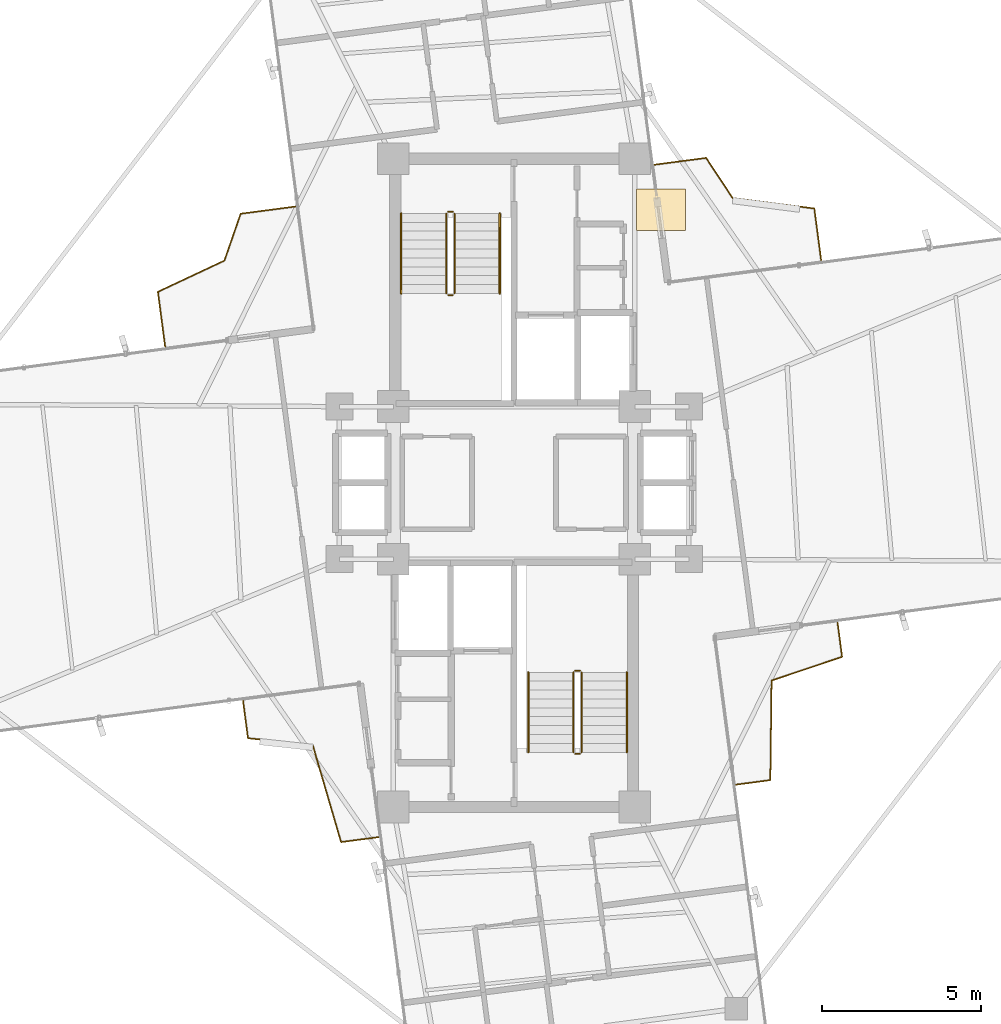
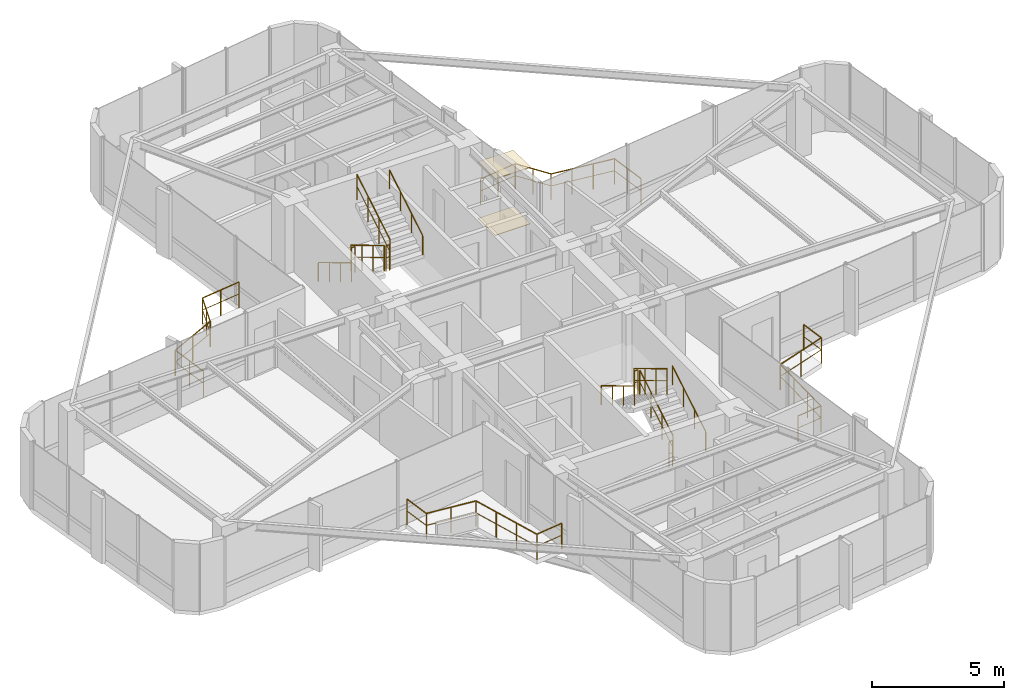
# One storey, part 22 of 22: 16 railings, 2 coverings.
"""IFC4 building model written with IfcOpenShell, lengths in metres."""

from ifc_helpers import new_model, si_unit, direction, frame, origin, origin_2d, place, context, subcontext, project, spatial, polyline, circle, outline, extrude, material, layer, layer_set, type_object, element, save


model = new_model("IFC4")

# Units and contexts
model_context = context("Model", 3, precision=1e-05, world=origin(), true_north=direction((0.0, 1.0)))
body_context = subcontext(model_context, "Body", "Model", "MODEL_VIEW")
ifc_project = project(units=[si_unit("LENGTHUNIT", "METRE"), si_unit("AREAUNIT", "SQUARE_METRE"), si_unit("VOLUMEUNIT", "CUBIC_METRE"), si_unit("PLANEANGLEUNIT", "RADIAN"), si_unit("MASSUNIT", "GRAM", prefix="KILO")], contexts=[model_context])

# Site, building, storey
site_placement = place(None, origin())
site = spatial("IfcSite", under=ifc_project, at=site_placement, CompositionType="ELEMENT")
building_placement = place(site_placement, origin())
building = spatial("IfcBuilding", under=site, at=building_placement, Name="Sahyath Konkavel Grand Hotel", CompositionType="ELEMENT")
storey_placement = place(building_placement, frame((0.0, 0.0, 237.800048828125)))
storey = spatial("IfcBuildingStorey", under=building, at=storey_placement, Name="L66", CompositionType="ELEMENT", Elevation=237.800048828125)

# Coverings
ifc_material_1 = material(Name="Perforated Acoustic Gypsum and Teak Baffle Ceiling")
ifc_layer_1 = layer(ifc_material_1, 0.044921875)
ifc_layer_set_1 = layer_set([ifc_layer_1], Name="Perforated Acoustic Gypsum and Teak Baffle Ceiling")
covering_type_1 = type_object("IfcCoveringType", Name="COV-ACOUSTIC-CLG", PredefinedType="CEILING", material=ifc_layer_set_1)
covering_1_placement = place(storey_placement, frame((0.0, 0.0, 2.58984375)))
element("IfcCovering", 1, at=covering_1_placement, inside=storey, type_object=covering_type_1, Name="L66 Core Vestibule Acoustic Ceiling", PredefinedType="CEILING", context=body_context, shape_type="SweptSolid", body=[
    extrude(outline(polyline([(3.85009765625, 7.949951171875), (5.39990234375, 7.949951171875), (5.39990234375, 9.25), (3.85009765625, 9.25), (3.85009765625, 7.949951171875)])), origin(), (0.0, 0.0, 1.0), 0.0400390625),
])
ifc_material_2 = material(Name="Polished Konkan Aggregate Terrazzo Flooring")
ifc_layer_2 = layer(ifc_material_2, 0.02001953125)
ifc_layer_set_2 = layer_set([ifc_layer_2], Name="Polished Konkan Aggregate Terrazzo Flooring")
covering_type_2 = type_object("IfcCoveringType", Name="COV-TERRAZZO", PredefinedType="FLOORING", material=ifc_layer_set_2)
covering_2_placement = place(storey_placement, origin())
element("IfcCovering", 2, at=covering_2_placement, inside=storey, type_object=covering_type_2, Name="L66 Core Vestibule Terrazzo Flooring", PredefinedType="FLOORING", context=body_context, shape_type="SweptSolid", body=[
    extrude(outline(polyline([(3.85009765625, 7.949951171875), (5.39990234375, 7.949951171875), (5.39990234375, 9.25), (3.85009765625, 9.25), (3.85009765625, 7.949951171875)])), origin(), (0.0, 0.0, 1.0), 0.02001953125),
])

# Railings
ifc_material_3 = material(Name="Anodised Bronze Aluminium", Category="aluminium")
railing_type_1 = type_object("IfcRailingType", Name="RLG-BALC-1200", PredefinedType="GUARDRAIL", material=ifc_material_3)
railing_1_placement = place(storey_placement, frame((9.666259765625, 7.006591796875, 0.0)))
element("IfcRailing", 3, at=railing_1_placement, inside=storey, type_object=railing_type_1, Name="L66 Winter-Garden Guard NE", PredefinedType="GUARDRAIL", context=body_context, shape_type="SweptSolid", body=[
    extrude(circle(Radius=0.02392578125, at=origin_2d()), frame((-0.000244140625, 0.001953125, 1.17578125), z_axis=(-0.130577479306, 0.991438107951, 0.0), x_axis=(-0.991438107951, -0.130577479306, 0.0)), (0.0, 0.0, 1.0), 1.639404296875),
    extrude(circle(Radius=0.01416015625, at=origin_2d()), frame((-0.000244140625, 0.001953125, 0.6240234375), z_axis=(-0.130577479306, 0.991438107951, 0.0), x_axis=(-0.991438107951, -0.130577479306, 0.0)), (0.0, 0.0, 1.0), 1.639404296875),
    extrude(circle(Radius=0.02392578125, at=origin_2d()), frame((-0.216552734375, 1.629638671875, 1.17578125), z_axis=(-0.991877401161, 0.127197567059, 0.0), x_axis=(-0.127197567059, -0.991877401161, 0.0)), (0.0, 0.0, 1.0), 2.589111328125),
    extrude(circle(Radius=0.01416015625, at=origin_2d()), frame((-0.216552734375, 1.629638671875, 0.6240234375), z_axis=(-0.991877401161, 0.127197567059, 0.0), x_axis=(-0.127197567059, -0.991877401161, 0.0)), (0.0, 0.0, 1.0), 2.589111328125),
    extrude(circle(Radius=0.02392578125, at=origin_2d()), frame((-2.787841796875, 1.9609375, 1.17578125), z_axis=(-0.551345488575, 0.834277023672, 0.0), x_axis=(-0.834277023672, -0.551345488575, 0.0)), (0.0, 0.0, 1.0), 1.509521484375),
    extrude(circle(Radius=0.01416015625, at=origin_2d()), frame((-2.787841796875, 1.9609375, 0.6240234375), z_axis=(-0.551345488575, 0.834277023672, 0.0), x_axis=(-0.834277023672, -0.551345488575, 0.0)), (0.0, 0.0, 1.0), 1.509521484375),
    extrude(circle(Radius=0.02392578125, at=origin_2d()), frame((-3.623046875, 3.2216796875, 1.17578125), z_axis=(-0.991438107951, -0.130577479306, 0.0), x_axis=(0.130577479306, -0.991438107951, 0.0)), (0.0, 0.0, 1.0), 1.639404296875),
    extrude(circle(Radius=0.01416015625, at=origin_2d()), frame((-3.623046875, 3.2216796875, 0.6240234375), z_axis=(-0.991438107951, -0.130577479306, 0.0), x_axis=(0.130577479306, -0.991438107951, 0.0)), (0.0, 0.0, 1.0), 1.639404296875),
    extrude(circle(Radius=0.02099609375, at=origin_2d()), origin(), (0.0, 0.0, 1.0), 1.15185546875),
    extrude(circle(Radius=0.02099609375, at=origin_2d()), frame((-0.107421875, 0.814697265625, 0.0)), (0.0, 0.0, 1.0), 1.15185546875),
    extrude(circle(Radius=0.02099609375, at=origin_2d()), frame((-0.214599609375, 1.62939453125, 0.0)), (0.0, 0.0, 1.0), 1.15185546875),
    extrude(circle(Radius=0.02099609375, at=origin_2d()), frame((-1.072021484375, 1.7392578125, 0.0)), (0.0, 0.0, 1.0), 1.15185546875),
    extrude(circle(Radius=0.02099609375, at=origin_2d()), frame((-1.92919921875, 1.849365234375, 0.0)), (0.0, 0.0, 1.0), 1.15185546875),
    extrude(circle(Radius=0.02099609375, at=origin_2d()), frame((-2.78662109375, 1.959228515625, 0.0)), (0.0, 0.0, 1.0), 1.15185546875),
    extrude(circle(Radius=0.02099609375, at=origin_2d()), frame((-3.203857421875, 2.590576171875, 0.0)), (0.0, 0.0, 1.0), 1.15185546875),
    extrude(circle(Radius=0.02099609375, at=origin_2d()), frame((-3.62109375, 3.221923828125, 0.0)), (0.0, 0.0, 1.0), 1.15185546875),
    extrude(circle(Radius=0.02099609375, at=origin_2d()), frame((-4.435791015625, 3.11474609375, 0.0)), (0.0, 0.0, 1.0), 1.15185546875),
    extrude(circle(Radius=0.02099609375, at=origin_2d()), frame((-5.25048828125, 3.00732421875, 0.0)), (0.0, 0.0, 1.0), 1.15185546875),
])
railing_2_placement = place(storey_placement, frame((-6.879150390625, 8.698486328125, 0.0)))
element("IfcRailing", 4, at=railing_2_placement, inside=storey, type_object=railing_type_1, Name="L66 Winter-Garden Guard NW", PredefinedType="GUARDRAIL", context=body_context, shape_type="SweptSolid", body=[
    extrude(circle(Radius=0.02392578125, at=origin_2d()), frame((-0.001953125, -0.000244140625, 1.17578125), z_axis=(-0.991449519089, -0.130490808485, 0.0), x_axis=(0.130490808485, -0.991449519089, 0.0)), (0.0, 0.0, 1.0), 1.736083984375),
    extrude(circle(Radius=0.01416015625, at=origin_2d()), frame((-0.001953125, -0.000244140625, 0.6240234375), z_axis=(-0.991449519089, -0.130490808485, 0.0), x_axis=(0.130490808485, -0.991449519089, 0.0)), (0.0, 0.0, 1.0), 1.736083984375),
    extrude(circle(Radius=0.02392578125, at=origin_2d()), frame((-1.725830078125, -0.22900390625, 1.17578125), z_axis=(-0.327502298761, -0.944850381969, 0.0), x_axis=(0.944850381969, -0.327502298761, 0.0)), (0.0, 0.0, 1.0), 1.55859375),
    extrude(circle(Radius=0.01416015625, at=origin_2d()), frame((-1.725830078125, -0.22900390625, 0.6240234375), z_axis=(-0.327502298761, -0.944850381969, 0.0), x_axis=(0.944850381969, -0.327502298761, 0.0)), (0.0, 0.0, 1.0), 1.55859375),
    extrude(circle(Radius=0.02392578125, at=origin_2d()), frame((-2.238525390625, -1.7041015625, 1.17578125), z_axis=(-0.905342208078, -0.424682806659, 0.0), x_axis=(0.424682806659, -0.905342208078, 0.0)), (0.0, 0.0, 1.0), 2.3076171875),
    extrude(circle(Radius=0.01416015625, at=origin_2d()), frame((-2.238525390625, -1.7041015625, 0.6240234375), z_axis=(-0.905342208078, -0.424682806659, 0.0), x_axis=(0.424682806659, -0.905342208078, 0.0)), (0.0, 0.0, 1.0), 2.3076171875),
    extrude(circle(Radius=0.02392578125, at=origin_2d()), frame((-4.329345703125, -2.68701171875, 1.17578125), z_axis=(0.130490808485, -0.991449519089, 0.0), x_axis=(0.991449519089, 0.130490808485, 0.0)), (0.0, 0.0, 1.0), 1.736083984375),
    extrude(circle(Radius=0.01416015625, at=origin_2d()), frame((-4.329345703125, -2.68701171875, 0.6240234375), z_axis=(0.130490808485, -0.991449519089, 0.0), x_axis=(0.991449519089, 0.130490808485, 0.0)), (0.0, 0.0, 1.0), 1.736083984375),
    extrude(circle(Radius=0.02099609375, at=origin_2d()), origin(), (0.0, 0.0, 1.0), 1.15185546875),
    extrude(circle(Radius=0.02099609375, at=origin_2d()), frame((-0.862548828125, -0.113525390625, 0.0)), (0.0, 0.0, 1.0), 1.15185546875),
    extrude(circle(Radius=0.02099609375, at=origin_2d()), frame((-1.72509765625, -0.22705078125, 0.0)), (0.0, 0.0, 1.0), 1.15185546875),
    extrude(circle(Radius=0.02099609375, at=origin_2d()), frame((-1.98095703125, -0.96533203125, 0.0)), (0.0, 0.0, 1.0), 1.15185546875),
    extrude(circle(Radius=0.02099609375, at=origin_2d()), frame((-2.23681640625, -1.703369140625, 0.0)), (0.0, 0.0, 1.0), 1.15185546875),
    extrude(circle(Radius=0.02099609375, at=origin_2d()), frame((-3.283203125, -2.1943359375, 0.0)), (0.0, 0.0, 1.0), 1.15185546875),
    extrude(circle(Radius=0.02099609375, at=origin_2d()), frame((-4.32958984375, -2.68505859375, 0.0)), (0.0, 0.0, 1.0), 1.15185546875),
    extrude(circle(Radius=0.02099609375, at=origin_2d()), frame((-4.216064453125, -3.547607421875, 0.0)), (0.0, 0.0, 1.0), 1.15185546875),
    extrude(circle(Radius=0.02099609375, at=origin_2d()), frame((-4.1025390625, -4.41015625, 0.0)), (0.0, 0.0, 1.0), 1.15185546875),
])
railing_3_placement = place(storey_placement, frame((-8.530029296875, -6.857177734375, 0.0)))
element("IfcRailing", 5, at=railing_3_placement, inside=storey, type_object=railing_type_1, Name="L66 Winter-Garden Guard SW", PredefinedType="GUARDRAIL", context=body_context, shape_type="SweptSolid", body=[
    extrude(circle(Radius=0.02392578125, at=origin_2d()), frame((0.000244140625, -0.001953125, 1.17578125), z_axis=(0.130656448367, -0.991427704122, 0.0), x_axis=(0.991427704122, 0.130656448367, 0.0)), (0.0, 0.0, 1.0), 1.184326171875),
    extrude(circle(Radius=0.01416015625, at=origin_2d()), frame((0.000244140625, -0.001953125, 0.6240234375), z_axis=(0.130656448367, -0.991427704122, 0.0), x_axis=(0.991427704122, 0.130656448367, 0.0)), (0.0, 0.0, 1.0), 1.184326171875),
    extrude(circle(Radius=0.02392578125, at=origin_2d()), frame((0.1572265625, -1.178466796875, 1.17578125), z_axis=(0.994169174823, -0.107831590134, 0.0), x_axis=(0.107831590134, 0.994169174823, 0.0)), (0.0, 0.0, 1.0), 2.04736328125),
    extrude(circle(Radius=0.01416015625, at=origin_2d()), frame((0.1572265625, -1.178466796875, 0.6240234375), z_axis=(0.994169174823, -0.107831590134, 0.0), x_axis=(0.107831590134, 0.994169174823, 0.0)), (0.0, 0.0, 1.0), 2.04736328125),
    extrude(circle(Radius=0.02392578125, at=origin_2d()), frame((2.195068359375, -1.4013671875, 1.17578125), z_axis=(0.280543025006, -0.959841451033, 0.0), x_axis=(0.959841451033, 0.280543025006, 0.0)), (0.0, 0.0, 1.0), 3.17236328125),
    extrude(circle(Radius=0.01416015625, at=origin_2d()), frame((2.195068359375, -1.4013671875, 0.6240234375), z_axis=(0.280543025006, -0.959841451033, 0.0), x_axis=(0.959841451033, 0.280543025006, 0.0)), (0.0, 0.0, 1.0), 3.17236328125),
    extrude(circle(Radius=0.02392578125, at=origin_2d()), frame((3.087646484375, -4.447998046875, 1.17578125), z_axis=(0.991427704122, 0.130656448367, 0.0), x_axis=(-0.130656448367, 0.991427704122, 0.0)), (0.0, 0.0, 1.0), 1.184326171875),
    extrude(circle(Radius=0.01416015625, at=origin_2d()), frame((3.087646484375, -4.447998046875, 0.6240234375), z_axis=(0.991427704122, 0.130656448367, 0.0), x_axis=(-0.130656448367, 0.991427704122, 0.0)), (0.0, 0.0, 1.0), 1.184326171875),
    extrude(circle(Radius=0.02099609375, at=origin_2d()), origin(), (0.0, 0.0, 1.0), 1.15185546875),
    extrude(circle(Radius=0.02099609375, at=origin_2d()), frame((0.1552734375, -1.17822265625, 0.0)), (0.0, 0.0, 1.0), 1.15185546875),
    extrude(circle(Radius=0.02099609375, at=origin_2d()), frame((1.1748046875, -1.288818359375, 0.0)), (0.0, 0.0, 1.0), 1.15185546875),
    extrude(circle(Radius=0.02099609375, at=origin_2d()), frame((2.194580078125, -1.3994140625, 0.0)), (0.0, 0.0, 1.0), 1.15185546875),
    extrude(circle(Radius=0.02099609375, at=origin_2d()), frame((2.49169921875, -2.415771484375, 0.0)), (0.0, 0.0, 1.0), 1.15185546875),
    extrude(circle(Radius=0.02099609375, at=origin_2d()), frame((2.78857421875, -3.431884765625, 0.0)), (0.0, 0.0, 1.0), 1.15185546875),
    extrude(circle(Radius=0.02099609375, at=origin_2d()), frame((3.085693359375, -4.4482421875, 0.0)), (0.0, 0.0, 1.0), 1.15185546875),
    extrude(circle(Radius=0.02099609375, at=origin_2d()), frame((4.263916015625, -4.29296875, 0.0)), (0.0, 0.0, 1.0), 1.15185546875),
])
railing_4_placement = place(storey_placement, frame((6.984375, -9.49755859375, 0.0)))
element("IfcRailing", 6, at=railing_4_placement, inside=storey, type_object=railing_type_1, Name="L66 Winter-Garden Guard SE", PredefinedType="GUARDRAIL", context=body_context, shape_type="SweptSolid", body=[
    extrude(circle(Radius=0.02392578125, at=origin_2d()), frame((0.001953125, 0.000244140625, 1.17578125), z_axis=(0.991441355547, 0.130552818859, 0.0), x_axis=(-0.130552818859, 0.991441355547, 0.0)), (0.0, 0.0, 1.0), 1.088134765625),
    extrude(circle(Radius=0.01416015625, at=origin_2d()), frame((0.001953125, 0.000244140625, 0.6240234375), z_axis=(0.991441355547, 0.130552818859, 0.0), x_axis=(-0.130552818859, 0.991441355547, 0.0)), (0.0, 0.0, 1.0), 1.088134765625),
    extrude(circle(Radius=0.02392578125, at=origin_2d()), frame((1.082763671875, 0.14453125, 1.17578125), z_axis=(0.012460091839, 0.999922370042, 0.0), x_axis=(-0.999922370042, 0.012460091839, 0.0)), (0.0, 0.0, 1.0), 3.131103515625),
    extrude(circle(Radius=0.01416015625, at=origin_2d()), frame((1.082763671875, 0.14453125, 0.6240234375), z_axis=(0.012460091839, 0.999922370042, 0.0), x_axis=(-0.999922370042, 0.012460091839, 0.0)), (0.0, 0.0, 1.0), 3.131103515625),
    extrude(circle(Radius=0.02392578125, at=origin_2d()), frame((1.123779296875, 3.278076171875, 1.17578125), z_axis=(0.94813945261, 0.317854649808, 0.0), x_axis=(-0.317854649808, 0.94813945261, 0.0)), (0.0, 0.0, 1.0), 2.33642578125),
    extrude(circle(Radius=0.01416015625, at=origin_2d()), frame((1.123779296875, 3.278076171875, 0.6240234375), z_axis=(0.94813945261, 0.317854649808, 0.0), x_axis=(-0.317854649808, 0.94813945261, 0.0)), (0.0, 0.0, 1.0), 2.33642578125),
    extrude(circle(Radius=0.02392578125, at=origin_2d()), frame((3.340576171875, 4.023193359375, 1.17578125), z_axis=(-0.130552818859, 0.991441355547, 0.0), x_axis=(-0.991441355547, -0.130552818859, 0.0)), (0.0, 0.0, 1.0), 1.088134765625),
    extrude(circle(Radius=0.01416015625, at=origin_2d()), frame((3.340576171875, 4.023193359375, 0.6240234375), z_axis=(-0.130552818859, 0.991441355547, 0.0), x_axis=(-0.991441355547, -0.130552818859, 0.0)), (0.0, 0.0, 1.0), 1.088134765625),
    extrude(circle(Radius=0.02099609375, at=origin_2d()), origin(), (0.0, 0.0, 1.0), 1.15185546875),
    extrude(circle(Radius=0.02099609375, at=origin_2d()), frame((1.082763671875, 0.142578125, 0.0)), (0.0, 0.0, 1.0), 1.15185546875),
    extrude(circle(Radius=0.02099609375, at=origin_2d()), frame((1.095703125, 1.1875, 0.0)), (0.0, 0.0, 1.0), 1.15185546875),
    extrude(circle(Radius=0.02099609375, at=origin_2d()), frame((1.10888671875, 2.232421875, 0.0)), (0.0, 0.0, 1.0), 1.15185546875),
    extrude(circle(Radius=0.02099609375, at=origin_2d()), frame((1.121826171875, 3.27734375, 0.0)), (0.0, 0.0, 1.0), 1.15185546875),
    extrude(circle(Radius=0.02099609375, at=origin_2d()), frame((2.2314453125, 3.6494140625, 0.0)), (0.0, 0.0, 1.0), 1.15185546875),
    extrude(circle(Radius=0.02099609375, at=origin_2d()), frame((3.3408203125, 4.021240234375, 0.0)), (0.0, 0.0, 1.0), 1.15185546875),
    extrude(circle(Radius=0.02099609375, at=origin_2d()), frame((3.1982421875, 5.10400390625, 0.0)), (0.0, 0.0, 1.0), 1.15185546875),
])
ifc_material_4 = material(Name="Steel E350", Category="steel")
railing_type_2 = type_object("IfcRailingType", Name="RLG-STAIR-GRD", PredefinedType="GUARDRAIL", material=ifc_material_4)
railing_5_placement = place(storey_placement, frame((-2.1298828125, 8.47998046875, 0.16748046875)))
element("IfcRailing", 7, at=railing_5_placement, inside=storey, type_object=railing_type_2, Name="L66 ST-1 stair guard 1", PredefinedType="GUARDRAIL", context=body_context, shape_type="SweptSolid", body=[
    extrude(circle(Radius=0.02392578125, at=origin_2d()), frame((0.0, -0.001708984375, 1.177001953125), z_axis=(0.0, -0.858159760407, 0.513382728203), x_axis=(1.0, 0.0, 0.0)), (0.0, 0.0, 1.0), 2.9326171875),
    extrude(circle(Radius=0.01416015625, at=origin_2d()), frame((0.0, -0.001708984375, 0.625), z_axis=(0.0, -0.858159760407, 0.513382728203), x_axis=(1.0, 0.0, 0.0)), (0.0, 0.0, 1.0), 2.9326171875),
    extrude(circle(Radius=0.02099609375, at=origin_2d()), origin(), (0.0, 0.0, 1.0), 1.15185546875),
    extrude(circle(Radius=0.02099609375, at=origin_2d()), frame((0.0, -0.840087890625, 0.50244140625)), (0.0, 0.0, 1.0), 1.15185546875),
    extrude(circle(Radius=0.02099609375, at=origin_2d()), frame((0.0, -1.679931640625, 1.005126953125)), (0.0, 0.0, 1.0), 1.15185546875),
    extrude(circle(Radius=0.02099609375, at=origin_2d()), frame((0.0, -2.52001953125, 1.507568359375)), (0.0, 0.0, 1.0), 1.15185546875),
])
railing_6_placement = place(storey_placement, frame((-2.080078125, 5.909912109375, 1.675048828125)))
element("IfcRailing", 8, at=railing_6_placement, inside=storey, type_object=railing_type_2, Name="L66 ST-1 stair guard 2", PredefinedType="GUARDRAIL", context=body_context, shape_type="SweptSolid", body=[
    extrude(circle(Radius=0.02392578125, at=origin_2d()), frame((0.001953125, 0.0, 1.17578125), z_axis=(1.0, 0.0, 0.0), x_axis=(0.0, 1.0, 0.0)), (0.0, 0.0, 1.0), 0.15625),
    extrude(circle(Radius=0.01416015625, at=origin_2d()), frame((0.001953125, 0.0, 0.6240234375), z_axis=(1.0, 0.0, 0.0), x_axis=(0.0, 1.0, 0.0)), (0.0, 0.0, 1.0), 0.15625),
    extrude(circle(Radius=0.02099609375, at=origin_2d()), origin(), (0.0, 0.0, 1.0), 1.15185546875),
    extrude(circle(Radius=0.02099609375, at=origin_2d()), frame((0.16015625, 0.0, 0.0)), (0.0, 0.0, 1.0), 1.15185546875),
])
railing_7_placement = place(storey_placement, frame((-1.8701171875, 5.9599609375, 1.842529296875)))
element("IfcRailing", 9, at=railing_7_placement, inside=storey, type_object=railing_type_2, Name="L66 ST-1 stair guard 3", PredefinedType="GUARDRAIL", context=body_context, shape_type="SweptSolid", body=[
    extrude(circle(Radius=0.02392578125, at=origin_2d()), frame((0.0, 0.001708984375, 1.177001953125), z_axis=(0.0, 0.858196387827, 0.513321497621), x_axis=(-1.0, 0.0, 0.0)), (0.0, 0.0, 1.0), 2.932373046875),
    extrude(circle(Radius=0.01416015625, at=origin_2d()), frame((0.0, 0.001708984375, 0.625), z_axis=(0.0, 0.858196387827, 0.513321497621), x_axis=(-1.0, 0.0, 0.0)), (0.0, 0.0, 1.0), 2.932373046875),
    extrude(circle(Radius=0.02099609375, at=origin_2d()), origin(), (0.0, 0.0, 1.0), 1.15185546875),
    extrude(circle(Radius=0.02099609375, at=origin_2d()), frame((0.0, 0.840087890625, 0.50244140625)), (0.0, 0.0, 1.0), 1.15185546875),
    extrude(circle(Radius=0.02099609375, at=origin_2d()), frame((0.0, 1.679931640625, 1.0048828125)), (0.0, 0.0, 1.0), 1.15185546875),
    extrude(circle(Radius=0.02099609375, at=origin_2d()), frame((0.0, 2.52001953125, 1.50732421875)), (0.0, 0.0, 1.0), 1.15185546875),
])
railing_8_placement = place(storey_placement, frame((-2.080078125, 8.530029296875, 0.0)))
element("IfcRailing", 10, at=railing_8_placement, inside=storey, type_object=railing_type_2, Name="L66 ST-1 stair guard 4", PredefinedType="GUARDRAIL", context=body_context, shape_type="SweptSolid", body=[
    extrude(circle(Radius=0.02392578125, at=origin_2d()), frame((0.001953125, 0.0, 1.17578125), z_axis=(1.0, 0.0, 0.0), x_axis=(0.0, 1.0, 0.0)), (0.0, 0.0, 1.0), 0.15625),
    extrude(circle(Radius=0.01416015625, at=origin_2d()), frame((0.001953125, 0.0, 0.6240234375), z_axis=(1.0, 0.0, 0.0), x_axis=(0.0, 1.0, 0.0)), (0.0, 0.0, 1.0), 0.15625),
    extrude(circle(Radius=0.02099609375, at=origin_2d()), origin(), (0.0, 0.0, 1.0), 1.15185546875),
    extrude(circle(Radius=0.02099609375, at=origin_2d()), frame((0.16015625, 0.0, 0.0)), (0.0, 0.0, 1.0), 1.15185546875),
])
railing_9_placement = place(storey_placement, frame((2.1298828125, -8.47998046875, 0.16748046875)))
element("IfcRailing", 11, at=railing_9_placement, inside=storey, type_object=railing_type_2, Name="L66 ST-2 stair guard 1", PredefinedType="GUARDRAIL", context=body_context, shape_type="SweptSolid", body=[
    extrude(circle(Radius=0.02392578125, at=origin_2d()), frame((0.0, 0.001708984375, 1.177001953125), z_axis=(0.0, 0.858159760407, 0.513382728203), x_axis=(-1.0, 0.0, 0.0)), (0.0, 0.0, 1.0), 2.9326171875),
    extrude(circle(Radius=0.01416015625, at=origin_2d()), frame((0.0, 0.001708984375, 0.625), z_axis=(0.0, 0.858159760407, 0.513382728203), x_axis=(-1.0, 0.0, 0.0)), (0.0, 0.0, 1.0), 2.9326171875),
    extrude(circle(Radius=0.02099609375, at=origin_2d()), origin(), (0.0, 0.0, 1.0), 1.15185546875),
    extrude(circle(Radius=0.02099609375, at=origin_2d()), frame((0.0, 0.840087890625, 0.50244140625)), (0.0, 0.0, 1.0), 1.15185546875),
    extrude(circle(Radius=0.02099609375, at=origin_2d()), frame((0.0, 1.679931640625, 1.005126953125)), (0.0, 0.0, 1.0), 1.15185546875),
    extrude(circle(Radius=0.02099609375, at=origin_2d()), frame((0.0, 2.52001953125, 1.507568359375)), (0.0, 0.0, 1.0), 1.15185546875),
])
railing_10_placement = place(storey_placement, frame((2.080078125, -5.909912109375, 1.675048828125)))
element("IfcRailing", 12, at=railing_10_placement, inside=storey, type_object=railing_type_2, Name="L66 ST-2 stair guard 2", PredefinedType="GUARDRAIL", context=body_context, shape_type="SweptSolid", body=[
    extrude(circle(Radius=0.02392578125, at=origin_2d()), frame((-0.001953125, 0.0, 1.17578125), z_axis=(-1.0, 0.0, 0.0), x_axis=(0.0, -1.0, 0.0)), (0.0, 0.0, 1.0), 0.15625),
    extrude(circle(Radius=0.01416015625, at=origin_2d()), frame((-0.001953125, 0.0, 0.6240234375), z_axis=(-1.0, 0.0, 0.0), x_axis=(0.0, -1.0, 0.0)), (0.0, 0.0, 1.0), 0.15625),
    extrude(circle(Radius=0.02099609375, at=origin_2d()), origin(), (0.0, 0.0, 1.0), 1.15185546875),
    extrude(circle(Radius=0.02099609375, at=origin_2d()), frame((-0.16015625, 0.0, 0.0)), (0.0, 0.0, 1.0), 1.15185546875),
])
railing_11_placement = place(storey_placement, frame((1.8701171875, -5.9599609375, 1.842529296875)))
element("IfcRailing", 13, at=railing_11_placement, inside=storey, type_object=railing_type_2, Name="L66 ST-2 stair guard 3", PredefinedType="GUARDRAIL", context=body_context, shape_type="SweptSolid", body=[
    extrude(circle(Radius=0.02392578125, at=origin_2d()), frame((0.0, -0.001708984375, 1.177001953125), z_axis=(0.0, -0.858196387827, 0.513321497621), x_axis=(1.0, 0.0, 0.0)), (0.0, 0.0, 1.0), 2.932373046875),
    extrude(circle(Radius=0.01416015625, at=origin_2d()), frame((0.0, -0.001708984375, 0.625), z_axis=(0.0, -0.858196387827, 0.513321497621), x_axis=(1.0, 0.0, 0.0)), (0.0, 0.0, 1.0), 2.932373046875),
    extrude(circle(Radius=0.02099609375, at=origin_2d()), origin(), (0.0, 0.0, 1.0), 1.15185546875),
    extrude(circle(Radius=0.02099609375, at=origin_2d()), frame((0.0, -0.840087890625, 0.50244140625)), (0.0, 0.0, 1.0), 1.15185546875),
    extrude(circle(Radius=0.02099609375, at=origin_2d()), frame((0.0, -1.679931640625, 1.0048828125)), (0.0, 0.0, 1.0), 1.15185546875),
    extrude(circle(Radius=0.02099609375, at=origin_2d()), frame((0.0, -2.52001953125, 1.50732421875)), (0.0, 0.0, 1.0), 1.15185546875),
])
railing_12_placement = place(storey_placement, frame((2.080078125, -8.530029296875, 0.0)))
element("IfcRailing", 14, at=railing_12_placement, inside=storey, type_object=railing_type_2, Name="L66 ST-2 stair guard 4", PredefinedType="GUARDRAIL", context=body_context, shape_type="SweptSolid", body=[
    extrude(circle(Radius=0.02392578125, at=origin_2d()), frame((-0.001953125, 0.0, 1.17578125), z_axis=(-1.0, 0.0, 0.0), x_axis=(0.0, -1.0, 0.0)), (0.0, 0.0, 1.0), 0.15625),
    extrude(circle(Radius=0.01416015625, at=origin_2d()), frame((-0.001953125, 0.0, 0.6240234375), z_axis=(-1.0, 0.0, 0.0), x_axis=(0.0, -1.0, 0.0)), (0.0, 0.0, 1.0), 0.15625),
    extrude(circle(Radius=0.02099609375, at=origin_2d()), origin(), (0.0, 0.0, 1.0), 1.15185546875),
    extrude(circle(Radius=0.02099609375, at=origin_2d()), frame((-0.16015625, 0.0, 0.0)), (0.0, 0.0, 1.0), 1.15185546875),
])
railing_type_3 = type_object("IfcRailingType", Name="RLG-STAIR-HND", PredefinedType="HANDRAIL", material=ifc_material_3)
railing_13_placement = place(storey_placement, frame((-3.550048828125, 8.47998046875, 0.16748046875)))
element("IfcRailing", 15, at=railing_13_placement, inside=storey, type_object=railing_type_3, Name="L66 ST-1 stair handrail 1", PredefinedType="HANDRAIL", context=body_context, shape_type="SweptSolid", body=[
    extrude(circle(Radius=0.02392578125, at=origin_2d()), frame((0.0, -0.001708984375, 0.876953125), z_axis=(0.0, -0.858159760407, 0.513382728203), x_axis=(1.0, 0.0, 0.0)), (0.0, 0.0, 1.0), 2.9326171875),
    extrude(circle(Radius=0.02099609375, at=origin_2d()), origin(), (0.0, 0.0, 1.0), 0.851806640625),
    extrude(circle(Radius=0.02099609375, at=origin_2d()), frame((0.0, -0.840087890625, 0.50244140625)), (0.0, 0.0, 1.0), 0.851806640625),
    extrude(circle(Radius=0.02099609375, at=origin_2d()), frame((0.0, -1.679931640625, 1.005126953125)), (0.0, 0.0, 1.0), 0.851806640625),
    extrude(circle(Radius=0.02099609375, at=origin_2d()), frame((0.0, -2.52001953125, 1.507568359375)), (0.0, 0.0, 1.0), 0.851806640625),
])
railing_14_placement = place(storey_placement, frame((-0.449951171875, 5.9599609375, 1.842529296875)))
element("IfcRailing", 16, at=railing_14_placement, inside=storey, type_object=railing_type_3, Name="L66 ST-1 stair handrail 2", PredefinedType="HANDRAIL", context=body_context, shape_type="SweptSolid", body=[
    extrude(circle(Radius=0.02392578125, at=origin_2d()), frame((0.0, 0.001708984375, 0.876953125), z_axis=(0.0, 0.858196387827, 0.513321497621), x_axis=(-1.0, 0.0, 0.0)), (0.0, 0.0, 1.0), 2.932373046875),
    extrude(circle(Radius=0.02099609375, at=origin_2d()), origin(), (0.0, 0.0, 1.0), 0.851806640625),
    extrude(circle(Radius=0.02099609375, at=origin_2d()), frame((0.0, 0.840087890625, 0.50244140625)), (0.0, 0.0, 1.0), 0.851806640625),
    extrude(circle(Radius=0.02099609375, at=origin_2d()), frame((0.0, 1.679931640625, 1.0048828125)), (0.0, 0.0, 1.0), 0.851806640625),
    extrude(circle(Radius=0.02099609375, at=origin_2d()), frame((0.0, 2.52001953125, 1.50732421875)), (0.0, 0.0, 1.0), 0.851806640625),
])
railing_15_placement = place(storey_placement, frame((3.550048828125, -8.47998046875, 0.16748046875)))
element("IfcRailing", 17, at=railing_15_placement, inside=storey, type_object=railing_type_3, Name="L66 ST-2 stair handrail 1", PredefinedType="HANDRAIL", context=body_context, shape_type="SweptSolid", body=[
    extrude(circle(Radius=0.02392578125, at=origin_2d()), frame((0.0, 0.001708984375, 0.876953125), z_axis=(0.0, 0.858159760407, 0.513382728203), x_axis=(-1.0, 0.0, 0.0)), (0.0, 0.0, 1.0), 2.9326171875),
    extrude(circle(Radius=0.02099609375, at=origin_2d()), origin(), (0.0, 0.0, 1.0), 0.851806640625),
    extrude(circle(Radius=0.02099609375, at=origin_2d()), frame((0.0, 0.840087890625, 0.50244140625)), (0.0, 0.0, 1.0), 0.851806640625),
    extrude(circle(Radius=0.02099609375, at=origin_2d()), frame((0.0, 1.679931640625, 1.005126953125)), (0.0, 0.0, 1.0), 0.851806640625),
    extrude(circle(Radius=0.02099609375, at=origin_2d()), frame((0.0, 2.52001953125, 1.507568359375)), (0.0, 0.0, 1.0), 0.851806640625),
])
railing_16_placement = place(storey_placement, frame((0.449951171875, -5.9599609375, 1.842529296875)))
element("IfcRailing", 18, at=railing_16_placement, inside=storey, type_object=railing_type_3, Name="L66 ST-2 stair handrail 2", PredefinedType="HANDRAIL", context=body_context, shape_type="SweptSolid", body=[
    extrude(circle(Radius=0.02392578125, at=origin_2d()), frame((0.0, -0.001708984375, 0.876953125), z_axis=(0.0, -0.858196387827, 0.513321497621), x_axis=(1.0, 0.0, 0.0)), (0.0, 0.0, 1.0), 2.932373046875),
    extrude(circle(Radius=0.02099609375, at=origin_2d()), origin(), (0.0, 0.0, 1.0), 0.851806640625),
    extrude(circle(Radius=0.02099609375, at=origin_2d()), frame((0.0, -0.840087890625, 0.50244140625)), (0.0, 0.0, 1.0), 0.851806640625),
    extrude(circle(Radius=0.02099609375, at=origin_2d()), frame((0.0, -1.679931640625, 1.0048828125)), (0.0, 0.0, 1.0), 0.851806640625),
    extrude(circle(Radius=0.02099609375, at=origin_2d()), frame((0.0, -2.52001953125, 1.50732421875)), (0.0, 0.0, 1.0), 0.851806640625),
])

save(model, "model.ifc")
